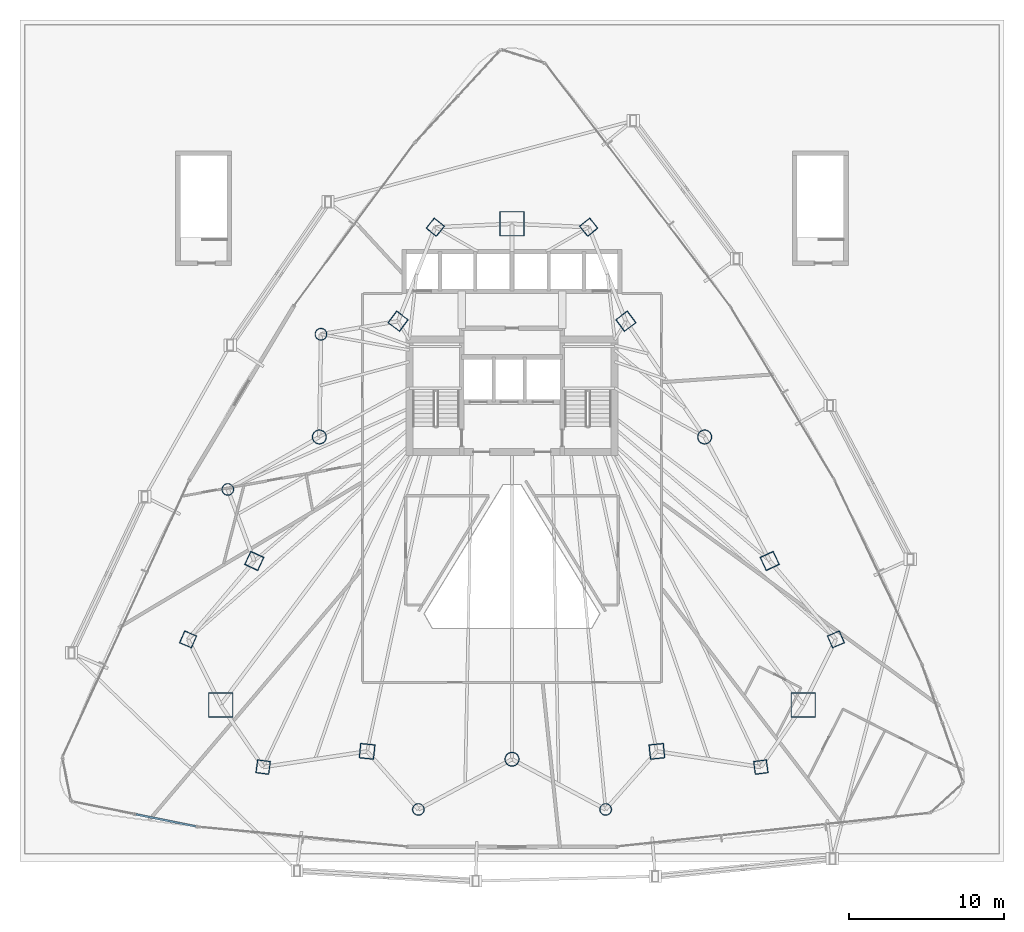
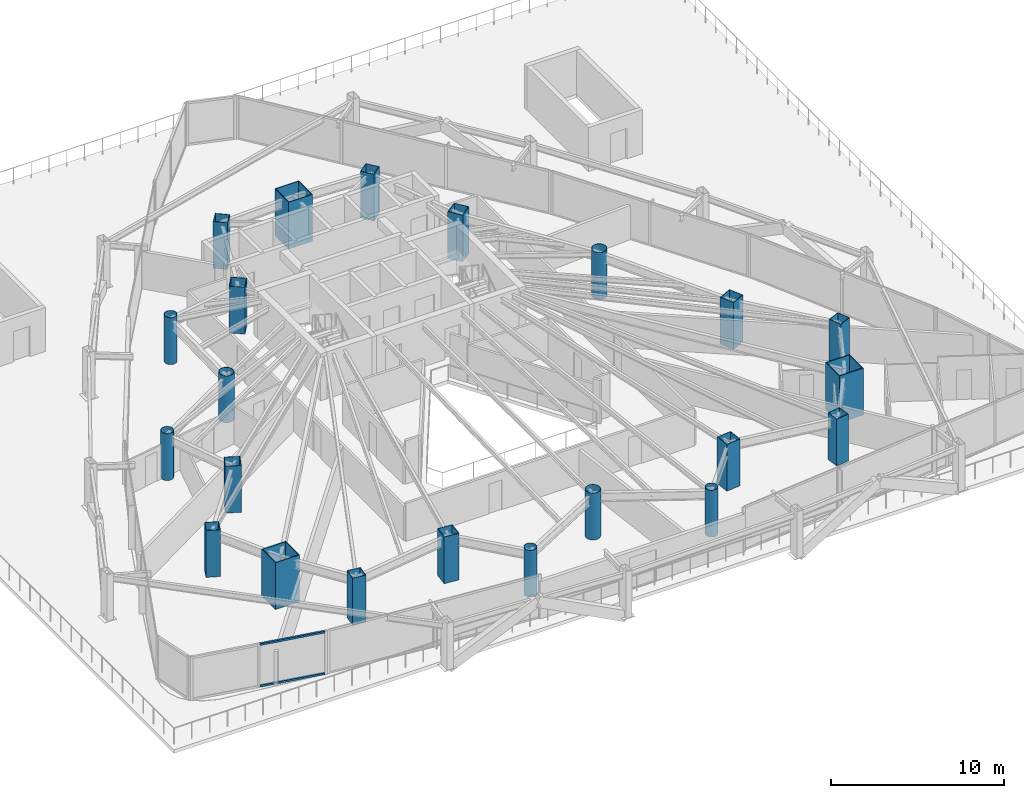
# One storey, part 1 of 36: 22 columns, 2 members, 1 element without a shape of its own.
"""IFC4 building model written with IfcOpenShell, lengths in metres."""

from ifc_helpers import new_model, si_unit, direction, frame, origin, origin_2d, place, context, subcontext, project, spatial, hollow_rectangle, hollow_circle, extrude, material, layer, layer_set, material_profile, profile_set, type_object, element, aggregate, save


model = new_model("IFC4")

# Units and contexts
model_context = context("Model", 3, precision=1e-05, world=origin(), true_north=direction((0.0, 1.0)))
body_context = subcontext(model_context, "Body", "Model", "MODEL_VIEW")
ifc_project = project(units=[si_unit("LENGTHUNIT", "METRE"), si_unit("AREAUNIT", "SQUARE_METRE"), si_unit("VOLUMEUNIT", "CUBIC_METRE"), si_unit("PLANEANGLEUNIT", "RADIAN"), si_unit("MASSUNIT", "GRAM", prefix="KILO")], contexts=[model_context])

# Site, building, storey
site_placement = place(None, origin())
site = spatial("IfcSite", under=ifc_project, at=site_placement, CompositionType="ELEMENT")
building_placement = place(site_placement, origin())
building = spatial("IfcBuilding", under=site, at=building_placement, Name="Orvanel Arch Residences", CompositionType="ELEMENT")
storey_placement = place(building_placement, frame((0.0, 0.0, 23.60009765625)))
storey = spatial("IfcBuildingStorey", under=building, at=storey_placement, Name="L05", CompositionType="ELEMENT", Elevation=23.60009765625)

# Columns
ifc_material_1 = material(Name="Structural steel AS/NZS 1163 C450L0 (Grade 450)", Category="steel")
ifc_material_profile_1 = material_profile(ifc_material_1, hollow_circle(Radius=0.381103515625, WallThickness=0.02197265625, at=origin_2d()), Name="CHS762x22")
ifc_profile_set_1 = profile_set([ifc_material_profile_1], Name="Structural steel AS/NZS 1163 C450L0 (Grade 450)")
column_type_1 = type_object("IfcColumnType", Name="CC-762", PredefinedType="COLUMN", material=ifc_profile_set_1)
for number, where, z_axis, x_axis, name in (
    (1, (20.669921875, 34.27099609375, 0.0), (0.0, 0.0, 1.0), (1.0, 0.0, 0.0), "L05 Low-Rise Buttress Tube Column 01"),
    (2, (14.662109375, 24.256103515625, 0.0), (0.0, 0.0, 1.0), (1.0, 0.0, 0.0), "L05 Low-Rise Buttress Tube Column 02"),
    (3, (26.9580078125, 3.60498046875, 0.0), (0.0, 0.0, 1.0), (1.0, 0.0, 0.0), "L05 Low-Rise Buttress Tube Column 03"),
    (4, (39.0419921875, 3.60498046875, 0.0), (0.0, 0.0, 1.0), (1.0, 0.0, 0.0), "L05 Low-Rise Buttress Tube Column 04"),
):
    element("IfcColumn", number, at=place(storey_placement, frame(where, z_axis=z_axis, x_axis=x_axis)), inside=storey, type_object=column_type_1, Name=name, PredefinedType="COLUMN", context=body_context, shape_type="SweptSolid", body=[
        extrude(hollow_circle(Radius=0.381103515625, WallThickness=0.02197265625, at=origin_2d()), origin(), (0.0, 0.0, 1.0), 3.2998046875),
    ])
ifc_material_profile_2 = material_profile(ifc_material_1, hollow_circle(Radius=0.45703125, WallThickness=0.02490234375, at=origin_2d()), Name="CHS914x25")
ifc_profile_set_2 = profile_set([ifc_material_profile_2], Name="Structural steel AS/NZS 1163 C450L0 (Grade 450)")
column_type_2 = type_object("IfcColumnType", Name="CC-914", PredefinedType="COLUMN", material=ifc_profile_set_2)
for number, where, z_axis, x_axis, name in (
    (5, (20.569091796875, 27.64111328125, 0.0), (0.0, 0.0, 1.0), (1.0, 0.0, 0.0), "L05 High-Rise Tube Column 02"),
    (6, (33.0, 6.843994140625, 0.0), (0.0, 0.0, 1.0), (1.0, 0.0, 0.0), "L05 High-Rise Tube Column 05"),
    (7, (45.430908203125, 27.64111328125, 0.0), (0.0, 0.0, 1.0), (1.0, 0.0, 0.0), "L05 High-Rise Tube Column 08"),
):
    element("IfcColumn", number, at=place(storey_placement, frame(where, z_axis=z_axis, x_axis=x_axis)), inside=storey, type_object=column_type_2, Name=name, PredefinedType="COLUMN", context=body_context, shape_type="SweptSolid", body=[
        extrude(hollow_circle(Radius=0.45703125, WallThickness=0.02490234375, at=origin_2d()), origin(), (0.0, 0.0, 1.0), 3.2998046875),
    ])
ifc_material_2 = material(Name="Structural steel AS/NZS 3678 Grade 450", Category="steel")
ifc_material_profile_3 = material_profile(ifc_material_2, hollow_rectangle(XDim=1.60009765625, YDim=1.60009765625, WallThickness=0.050048828125, at=origin_2d()), Name="BOX1600x1600x50")
ifc_profile_set_3 = profile_set([ifc_material_profile_3], Name="Structural steel AS/NZS 3678 Grade 450")
column_type_3 = type_object("IfcColumnType", Name="MC-1600", PredefinedType="COLUMN", material=ifc_profile_set_3)
for number, where, z_axis, x_axis, name in (
    (8, (33.0, 41.39794921875, 0.0), (0.0, 0.0, 1.0), (1.0, 0.0, 0.0), "L05 Corner Mega-Column 1"),
    (9, (14.198974609375, 10.35107421875, 0.0), (0.0, 0.0, 1.0), (1.0, 0.0, 0.0), "L05 Corner Mega-Column 2"),
    (10, (51.801025390625, 10.35107421875, 0.0), (0.0, 0.0, 1.0), (1.0, 0.0, 0.0), "L05 Corner Mega-Column 3"),
):
    element("IfcColumn", number, at=place(storey_placement, frame(where, z_axis=z_axis, x_axis=x_axis)), inside=storey, type_object=column_type_3, Name=name, PredefinedType="COLUMN", context=body_context, shape_type="SweptSolid", body=[
        extrude(hollow_rectangle(XDim=1.60009765625, YDim=1.60009765625, WallThickness=0.050048828125, at=origin_2d()), origin(), (0.0, 0.0, 1.0), 3.2998046875),
    ])
ifc_material_3 = material(Name="Structural steel AS/NZS 3678 Grade 350", Category="steel")
ifc_material_profile_4 = material_profile(ifc_material_3, hollow_rectangle(XDim=0.85009765625, YDim=0.85009765625, WallThickness=0.028076171875, at=origin_2d()), Name="BOX850x850x28")
ifc_profile_set_4 = profile_set([ifc_material_profile_4], Name="Structural steel AS/NZS 3678 Grade 350")
column_type_4 = type_object("IfcColumnType", Name="TC-850", PredefinedType="COLUMN", material=ifc_profile_set_4)
for number, where, z_axis, x_axis, name in (
    (11, (28.050048828125, 41.177978515625, 0.0), (0.0, 0.0, 1.0), (0.623879596709, 0.781520472419, 0.0), "L05 Mid-Rise Buttress Tube Column 01"),
    (12, (12.094970703125, 14.580078125, 0.0), (0.0, 0.0, 1.0), (0.397147890635, 0.917754625684, 0.0), "L05 Mid-Rise Buttress Tube Column 02"),
    (13, (16.94091796875, 6.339111328125, 0.0), (0.0, 0.0, 1.0), (-0.99189444259, 0.127064608601, 0.0), "L05 Mid-Rise Buttress Tube Column 03"),
    (14, (49.05908203125, 6.339111328125, 0.0), (0.0, 0.0, 1.0), (0.99189444259, 0.127064608601, 0.0), "L05 Mid-Rise Buttress Tube Column 04"),
    (15, (53.905029296875, 14.580078125, 0.0), (0.0, 0.0, 1.0), (-0.397147890635, 0.917754625684, 0.0), "L05 Mid-Rise Buttress Tube Column 05"),
    (16, (37.949951171875, 41.177978515625, 0.0), (0.0, 0.0, 1.0), (-0.623879596709, 0.781520472419, 0.0), "L05 Mid-Rise Buttress Tube Column 06"),
):
    element("IfcColumn", number, at=place(storey_placement, frame(where, z_axis=z_axis, x_axis=x_axis)), inside=storey, type_object=column_type_4, Name=name, PredefinedType="COLUMN", context=body_context, shape_type="SweptSolid", body=[
        extrude(hollow_rectangle(XDim=0.85009765625, YDim=0.85009765625, WallThickness=0.028076171875, at=origin_2d()), origin(), (0.0, 0.0, 1.0), 3.2998046875),
    ])
ifc_material_profile_5 = material_profile(ifc_material_3, hollow_rectangle(XDim=0.949951171875, YDim=0.949951171875, WallThickness=0.031982421875, at=origin_2d()), Name="BOX950x950x32")
ifc_profile_set_5 = profile_set([ifc_material_profile_5], Name="Structural steel AS/NZS 3678 Grade 350")
column_type_5 = type_object("IfcColumnType", Name="TC-950", PredefinedType="COLUMN", material=ifc_profile_set_5)
for number, where, z_axis, x_axis, name in (
    (17, (25.64794921875, 35.113037109375, 0.0), (0.0, 0.0, 1.0), (0.600420225326, 0.799684658487, 0.0), "L05 High-Rise Tube Column 01"),
    (18, (16.366943359375, 19.64208984375, 0.0), (0.0, 0.0, 1.0), (0.422618261741, 0.906307787037, 0.0), "L05 High-Rise Tube Column 03"),
    (19, (23.64892578125, 7.35498046875, 0.0), (0.0, 0.0, 1.0), (-0.994880708829, 0.101056297183, 0.0), "L05 High-Rise Tube Column 04"),
    (20, (42.35107421875, 7.35498046875, 0.0), (0.0, 0.0, 1.0), (0.994880708829, 0.101056297183, 0.0), "L05 High-Rise Tube Column 06"),
    (21, (49.633056640625, 19.64208984375, 0.0), (0.0, 0.0, 1.0), (-0.422618261741, 0.906307787037, 0.0), "L05 High-Rise Tube Column 07"),
    (22, (40.35205078125, 35.113037109375, 0.0), (0.0, 0.0, 1.0), (-0.600420225326, 0.799684658487, 0.0), "L05 High-Rise Tube Column 09"),
):
    element("IfcColumn", number, at=place(storey_placement, frame(where, z_axis=z_axis, x_axis=x_axis)), inside=storey, type_object=column_type_5, Name=name, PredefinedType="COLUMN", context=body_context, shape_type="SweptSolid", body=[
        extrude(hollow_rectangle(XDim=0.949951171875, YDim=0.949951171875, WallThickness=0.031982421875, at=origin_2d()), origin(), (0.0, 0.0, 1.0), 3.2998046875),
    ])

# Curtain wall, members
ifc_material_4 = material(Name="Bronze-anodised aluminium AA6063-T6", Category="aluminium")
ifc_layer = layer(ifc_material_4, 0.18994140625)
ifc_layer_set = layer_set([ifc_layer], Name="Bronze-anodised aluminium AA6063-T6")
curtain_wall_type = type_object("IfcCurtainWallType", Name="CW5-CRN-SYS", PredefinedType="NOTDEFINED", material=ifc_layer_set)
curtain_wall_placement = place(storey_placement, origin())
curtain_wall = element("IfcCurtainWall", 23, at=curtain_wall_placement, inside=storey, type_object=curtain_wall_type, Name="L05 CW5-CRN-SYS Unitised Curtain Wall", PredefinedType="NOTDEFINED")
ifc_material_profile_6 = material_profile(ifc_material_4, hollow_rectangle(XDim=0.1298828125, YDim=0.1298828125, WallThickness=0.00439453125, at=origin_2d()), Name="ALU130x130x4.5")
ifc_profile_set_6 = profile_set([ifc_material_profile_6], Name="Bronze-anodised aluminium AA6063-T6")
member_type = type_object("IfcMemberType", Name="TRN-130x130", PredefinedType="USERDEFINED", material=ifc_profile_set_6)
member_1_placement = place(storey_placement, frame((8.73291015625, 3.28662109375, 0.06494140625), z_axis=(0.980399326338, -0.197020711897, 0.0), x_axis=(0.197020711897, 0.980399326338, 0.0)))
member_1 = element("IfcMember", 24, at=member_1_placement, type_object=member_type, Name="CW-S5 transom 2.1", ObjectType="TRANSOM", PredefinedType="USERDEFINED", context=body_context, shape_type="SweptSolid", body=[
    extrude(hollow_rectangle(XDim=0.1298828125, YDim=0.1298828125, WallThickness=0.00439453125, at=origin_2d()), origin(), (0.0, 0.0, 1.0), 3.9443359375),
])
member_2_placement = place(storey_placement, frame((8.73291015625, 3.28662109375, 2.994873046875), z_axis=(0.980399326338, -0.197020711897, 0.0), x_axis=(0.197020711897, 0.980399326338, 0.0)))
member_2 = element("IfcMember", 25, at=member_2_placement, type_object=member_type, Name="CW-S5 transom 2.2", ObjectType="TRANSOM", PredefinedType="USERDEFINED", context=body_context, shape_type="SweptSolid", body=[
    extrude(hollow_rectangle(XDim=0.1298828125, YDim=0.1298828125, WallThickness=0.00439453125, at=origin_2d()), origin(), (0.0, 0.0, 1.0), 3.9443359375),
])
aggregate(curtain_wall, [member_1, member_2])

save(model, "model.ifc")
